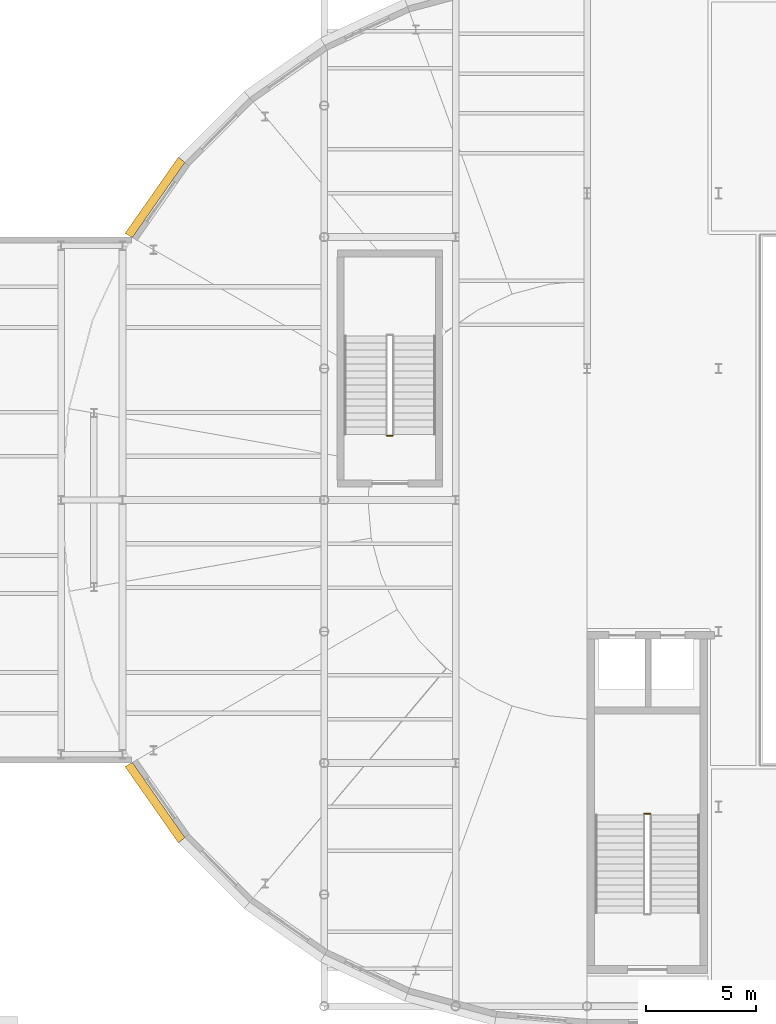
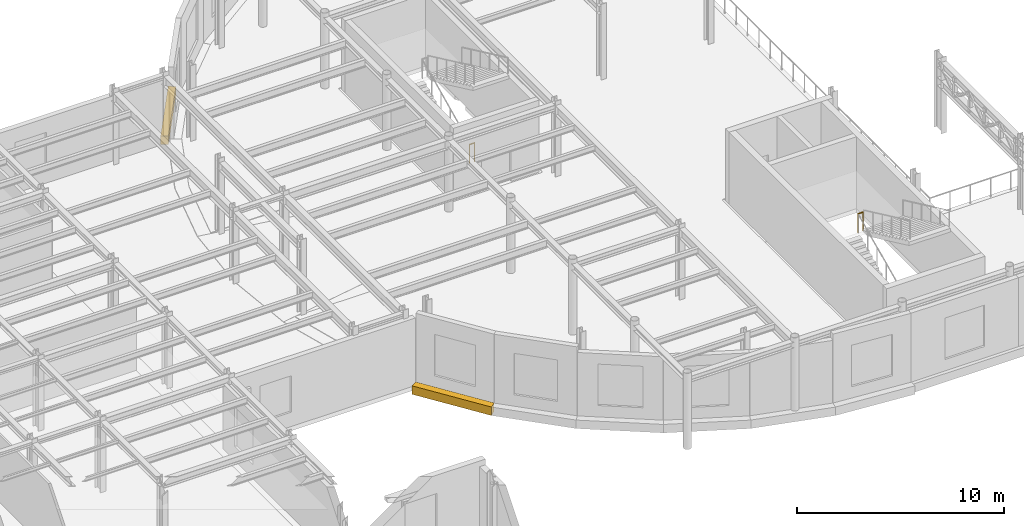
# One storey, part 78 of 91: 2 coverings, 2 railings, 1 element without a shape of its own.
"""IFC4 building model written with IfcOpenShell, lengths in metres."""

from ifc_helpers import new_model, si_unit, direction, frame, origin, origin_2d, place, context, subcontext, project, spatial, polyline, circle, outline, extrude, material, layer, layer_set, type_object, element, aggregate, save


model = new_model("IFC4")

# Units and contexts
model_context = context("Model", 3, precision=1e-05, world=origin(), true_north=direction((0.0, 1.0)))
body_context = subcontext(model_context, "Body", "Model", "MODEL_VIEW")
ifc_project = project(units=[si_unit("LENGTHUNIT", "METRE"), si_unit("AREAUNIT", "SQUARE_METRE"), si_unit("VOLUMEUNIT", "CUBIC_METRE"), si_unit("PLANEANGLEUNIT", "RADIAN"), si_unit("MASSUNIT", "GRAM", prefix="KILO")], contexts=[model_context])

# Site, building, storey
site_placement = place(None, origin())
site = spatial("IfcSite", under=ifc_project, at=site_placement, CompositionType="ELEMENT")
building_placement = place(site_placement, origin())
building = spatial("IfcBuilding", under=site, at=building_placement, Name="Kolvaren Corner Interchange", CompositionType="ELEMENT")
storey_placement = place(building_placement, frame((0.0, 0.0, 6.0)))
storey = spatial("IfcBuildingStorey", under=building, at=storey_placement, Name="L02", CompositionType="ELEMENT", Elevation=6.0)

# Coverings
ifc_material_1 = material(Name="Glazed White Terracotta Fascia Cladding", Category="masonry")
ifc_layer = layer(ifc_material_1, 0.0400390625)
ifc_layer_set = layer_set([ifc_layer], Name="Glazed White Terracotta Fascia Cladding")
covering_type = type_object("IfcCoveringType", Name="COV-WHT-CLAD40", PredefinedType="CLADDING", material=ifc_layer_set)
covering_1_placement = place(storey_placement, frame((0.0, 0.0, -0.320068359375)))
element("IfcCovering", 1, at=covering_1_placement, inside=storey, type_object=covering_type, Name="Racetrack West L02 Sweeping White Edge Band 06", PredefinedType="CLADDING", context=body_context, shape_type="SweptSolid", body=[
    extrude(outline(polyline([(41.6455078125, 63.401123046875), (41.3544921875, 63.6455078125), (38.9208984375, 60.169921875), (39.25, 59.97998046875), (41.6455078125, 63.401123046875)])), origin(), (0.0, 0.0, 1.0), 0.5),
])
covering_2_placement = place(storey_placement, frame((0.0, 0.0, -0.320068359375)))
element("IfcCovering", 2, at=covering_2_placement, inside=storey, type_object=covering_type, Name="Racetrack West L02 Sweeping White Edge Band 13", PredefinedType="CLADDING", context=body_context, shape_type="SweptSolid", body=[
    extrude(outline(polyline([(39.25, 36.02001953125), (38.9208984375, 35.830078125), (41.3544921875, 32.3544921875), (41.6455078125, 32.598876953125), (39.25, 36.02001953125)])), origin(), (0.0, 0.0, 1.0), 0.5),
])

# Stair, railing
ifc_material_2 = material(Name="Concrete C35/45", Category="concrete")
stair_type = type_object("IfcStairType", Name="ST-TR-2300", PredefinedType="HALF_TURN_STAIR", material=ifc_material_2)
stair_placement = place(storey_placement, origin())
stair = element("IfcStair", 3, at=stair_placement, inside=storey, type_object=stair_type, Name="Core C3 West Concourse Transfer Stair L02 to L03 Stair", PredefinedType="HALF_TURN_STAIR")
ifc_material_3 = material(Name="Powder-Coated Steel Stairwell Guardrail", Category="steel")
railing_type = type_object("IfcRailingType", Name="RLT-STAIR-GRD1120", PredefinedType="GUARDRAIL", material=ifc_material_3)
railing_1_placement = place(storey_placement, frame((62.610107421875, 33.68994140625, 2.25)))
railing_1 = element("IfcRailing", 4, at=railing_1_placement, type_object=railing_type, Name="Core C3 West Concourse Transfer Stair L02 Half Landing Well Guardrail", PredefinedType="GUARDRAIL", context=body_context, shape_type="SweptSolid", body=[
    extrude(circle(Radius=0.02392578125, at=origin_2d()), frame((0.0, 0.0, 1.09619140625), z_axis=(1.0, 0.0, 0.0), x_axis=(0.0, 1.0, 0.0)), (0.0, 0.0, 1.0), 0.27978515625),
    extrude(circle(Radius=0.02001953125, at=origin_2d()), origin(), (0.0, 0.0, 1.0), 1.072021484375),
    extrude(circle(Radius=0.02001953125, at=origin_2d()), frame((0.27978515625, 0.0, 0.0)), (0.0, 0.0, 1.0), 1.072021484375),
])
aggregate(stair, [railing_1])

# Railing
railing_2_placement = place(storey_placement, frame((50.860107421875, 50.93994140625, 0.0)))
element("IfcRailing", 5, at=railing_2_placement, inside=storey, type_object=railing_type, Name="West Racetrack Concourse Gallery Stair L02 Landing Edge Guardrail", PredefinedType="GUARDRAIL", context=body_context, shape_type="SweptSolid", body=[
    extrude(circle(Radius=0.02392578125, at=origin_2d()), frame((0.0, 0.0, 1.09619140625), z_axis=(1.0, 0.0, 0.0), x_axis=(0.0, 1.0, 0.0)), (0.0, 0.0, 1.0), 0.27978515625),
    extrude(circle(Radius=0.02001953125, at=origin_2d()), origin(), (0.0, 0.0, 1.0), 1.072021484375),
    extrude(circle(Radius=0.02001953125, at=origin_2d()), frame((0.27978515625, 0.0, 0.0)), (0.0, 0.0, 1.0), 1.072021484375),
])

save(model, "model.ifc")
